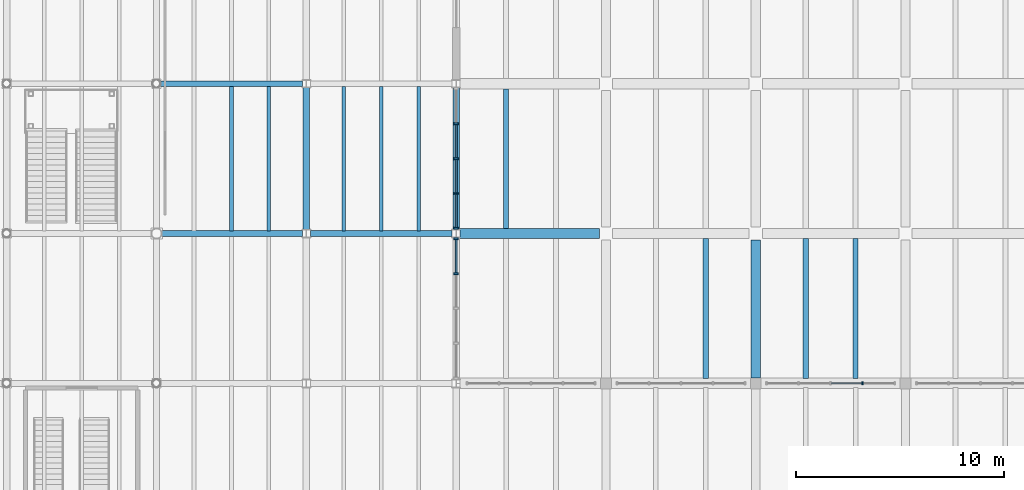
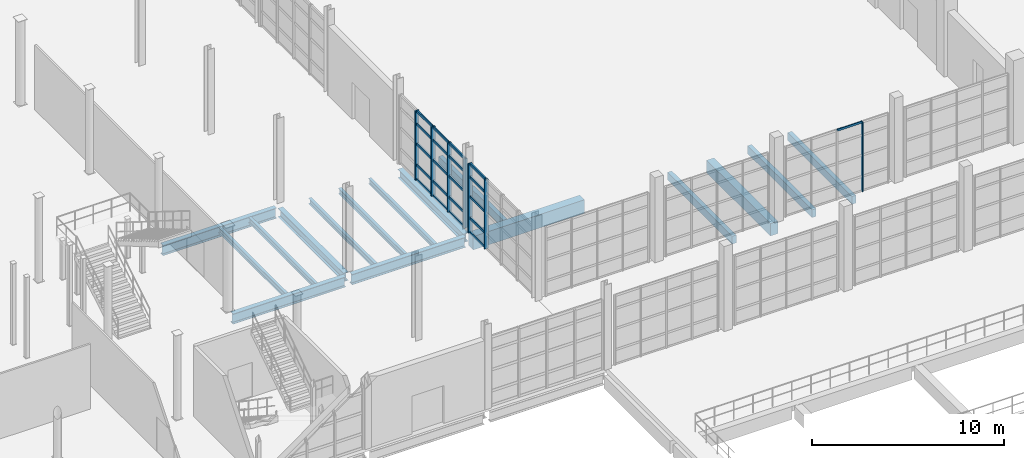
# One storey, part 30 of 79: 28 members, 16 beams, 3 elements without a shape of their own.
"""IFC4 building model written with IfcOpenShell, lengths in metres."""

from ifc_helpers import new_model, si_unit, direction, frame, origin, origin_2d, place, context, subcontext, project, spatial, rectangle, i_section, extrude, material, material_profile, profile_set, type_object, element, aggregate, save


model = new_model("IFC4")

# Units and contexts
model_context = context("Model", 3, precision=1e-05, world=origin(), true_north=direction((0.0, 1.0)))
body_context = subcontext(model_context, "Body", "Model", "MODEL_VIEW")
ifc_project = project(units=[si_unit("LENGTHUNIT", "METRE"), si_unit("AREAUNIT", "SQUARE_METRE"), si_unit("VOLUMEUNIT", "CUBIC_METRE"), si_unit("PLANEANGLEUNIT", "RADIAN"), si_unit("MASSUNIT", "GRAM", prefix="KILO")], contexts=[model_context])

# Site, building, storey
site_placement = place(None, origin())
site = spatial("IfcSite", under=ifc_project, at=site_placement, CompositionType="ELEMENT")
building_placement = place(site_placement, origin())
building = spatial("IfcBuilding", under=site, at=building_placement, Name="Qiaolan Assembly House", CompositionType="ELEMENT")
storey_placement = place(building_placement, origin())
storey = spatial("IfcBuildingStorey", under=building, at=storey_placement, Name="L00", CompositionType="ELEMENT", Elevation=0.0)

# Beams
ifc_material_1 = material(Name="Concrete C40/50", Category="concrete")
ifc_material_profile_1 = material_profile(ifc_material_1, rectangle(XDim=0.449951171875, YDim=0.800048828125, at=origin_2d()), Name="RCB 450x800")
ifc_profile_set_1 = profile_set([ifc_material_profile_1], Name="Concrete C40/50")
beam_type_1 = type_object("IfcBeamType", Name="BM-RC-450x800", PredefinedType="BEAM", material=ifc_profile_set_1)
beam_1_placement = place(storey_placement, frame((122.39990234375, 43.449951171875, -0.739990234375), z_axis=(0.0, 1.0, 0.0), x_axis=(-1.0, 0.0, 0.0)))
element("IfcBeam", 1, at=beam_1_placement, inside=storey, type_object=beam_type_1, Name="GB-03 beam BMY-CLCRT-L00-02-00", PredefinedType="BEAM", context=body_context, shape_type="SweptSolid", body=[
    extrude(rectangle(XDim=0.449951171875, YDim=0.800048828125, at=origin_2d()), origin(), (0.0, 0.0, 1.0), 6.635009765625),
])
ifc_material_2 = material(Name="Concrete C45/55", Category="concrete")
ifc_material_profile_2 = material_profile(ifc_material_2, rectangle(XDim=0.5, YDim=0.85009765625, at=origin_2d()), Name="RCB 500x850")
ifc_profile_set_2 = profile_set([ifc_material_profile_2], Name="Concrete C45/55")
beam_type_2 = type_object("IfcBeamType", Name="BM-RC-500x850", PredefinedType="BEAM", material=ifc_profile_set_2)
beam_2_placement = place(storey_placement, frame((108.18994140625, 50.39990234375, -0.764892578125), z_axis=(1.0, 0.0, 0.0), x_axis=(0.0, 1.0, 0.0)))
element("IfcBeam", 2, at=beam_2_placement, inside=storey, type_object=beam_type_2, Name="GB-02 beam BMX-CLCRT-L00-00-01", PredefinedType="BEAM", context=body_context, shape_type="SweptSolid", body=[
    extrude(rectangle(XDim=0.5, YDim=0.85009765625, at=origin_2d()), origin(), (0.0, 0.0, 1.0), 6.695068359375),
])
ifc_material_3 = material(Name="Steel Q355B", Category="steel")
ifc_material_profile_3 = material_profile(ifc_material_3, i_section(OverallWidth=0.300048828125, OverallDepth=0.5400390625, WebThickness=0.010986328125, FlangeThickness=0.01806640625, FilletRadius=0.02001953125, at=origin_2d()), Name="HM 540x300x11x18")
ifc_profile_set_3 = profile_set([ifc_material_profile_3], Name="Steel Q355B")
beam_type_3 = type_object("IfcBeamType", Name="BM-STL-HM540", PredefinedType="BEAM", material=ifc_profile_set_3)
for number, where, z_axis, x_axis, name in (
    (3, (100.800048828125, 50.590087890625, -0.570068359375), (0.0, 1.0, 0.0), (-1.0, 0.0, 0.0), "SB-12 beam BMY-HL-L00-11-02"),
    (4, (108.0, 50.590087890625, -0.610107421875), (0.0, 1.0, 0.0), (-1.0, 0.0, 0.0), "SB-12 beam BMY-HL-L00-12-02"),
):
    element("IfcBeam", number, at=place(storey_placement, frame(where, z_axis=z_axis, x_axis=x_axis)), inside=storey, type_object=beam_type_3, Name=name, PredefinedType="BEAM", context=body_context, shape_type="SweptSolid", body=[
        extrude(i_section(OverallWidth=0.300048828125, OverallDepth=0.5400390625, WebThickness=0.010986328125, FlangeThickness=0.01806640625, FilletRadius=0.02001953125, at=origin_2d()), origin(), (0.0, 0.0, 1.0), 6.81982421875),
    ])
ifc_material_profile_4 = material_profile(ifc_material_3, i_section(OverallWidth=0.280029296875, OverallDepth=0.64990234375, WebThickness=0.011962890625, FlangeThickness=0.02197265625, FilletRadius=0.02197265625, at=origin_2d()), Name="HN 650x280x12x22")
ifc_profile_set_4 = profile_set([ifc_material_profile_4], Name="Steel Q355B")
beam_type_4 = type_object("IfcBeamType", Name="BM-STL-HN650", PredefinedType="BEAM", material=ifc_profile_set_4)
beam_3_placement = place(storey_placement, frame((93.843994140625, 50.39990234375, -0.625), z_axis=(1.0, 0.0, 0.0), x_axis=(0.0, 1.0, 0.0)))
element("IfcBeam", 5, at=beam_3_placement, inside=storey, type_object=beam_type_4, Name="SB-10 beam BMX-HL-L00-10-02", PredefinedType="BEAM", context=body_context, shape_type="SweptSolid", body=[
    extrude(i_section(OverallWidth=0.280029296875, OverallDepth=0.64990234375, WebThickness=0.011962890625, FlangeThickness=0.02197265625, FilletRadius=0.02197265625, at=origin_2d()), origin(), (0.0, 0.0, 1.0), 6.76611328125),
])
beam_4_placement = place(storey_placement, frame((100.989990234375, 50.39990234375, -0.625), z_axis=(1.0, 0.0, 0.0), x_axis=(0.0, 1.0, 0.0)))
element("IfcBeam", 6, at=beam_4_placement, inside=storey, type_object=beam_type_4, Name="SB-10 beam BMX-HL-L00-11-02", PredefinedType="BEAM", context=body_context, shape_type="SweptSolid", body=[
    extrude(i_section(OverallWidth=0.280029296875, OverallDepth=0.64990234375, WebThickness=0.011962890625, FlangeThickness=0.02197265625, FilletRadius=0.02197265625, at=origin_2d()), origin(), (0.0, 0.0, 1.0), 6.820068359375),
])
beam_5_placement = place(storey_placement, frame((93.793212890625, 57.60009765625, -0.625), z_axis=(1.0, 0.0, 0.0), x_axis=(0.0, 1.0, 0.0)))
element("IfcBeam", 7, at=beam_5_placement, inside=storey, type_object=beam_type_4, Name="SB-10 beam BMX-HL-L00-10-03", PredefinedType="BEAM", context=body_context, shape_type="SweptSolid", body=[
    extrude(i_section(OverallWidth=0.280029296875, OverallDepth=0.64990234375, WebThickness=0.011962890625, FlangeThickness=0.02197265625, FilletRadius=0.02197265625, at=origin_2d()), origin(), (0.0, 0.0, 1.0), 6.81689453125),
])

# Curtain wall, members
ifc_material_4 = material(Name="Anodised bronze aluminium", Category="aluminium")
curtain_wall_type_1 = type_object("IfcCurtainWallType", Name="CW-CLOISTER-420", PredefinedType="NOTDEFINED", material=ifc_material_4)
curtain_wall_1_placement = place(storey_placement, origin())
curtain_wall_1 = element("IfcCurtainWall", 8, at=curtain_wall_1_placement, inside=storey, type_object=curtain_wall_type_1, Name="CW-05 South Cloister court arcade L00-3", PredefinedType="NOTDEFINED")
ifc_material_profile_5 = material_profile(ifc_material_4, rectangle(XDim=0.070068359375, YDim=0.155029296875, at=origin_2d()), Name="MUL 70x155")
ifc_profile_set_5 = profile_set([ifc_material_profile_5], Name="Anodised bronze aluminium")
member_type_1 = type_object("IfcMemberType", Name="CW-CLOISTER-420-MUL", PredefinedType="MULLION", material=ifc_profile_set_5)
member_1_placement = place(storey_placement, frame((127.5400390625, 43.199951171875, 0.0), z_axis=(0.0, 0.0, 1.0), x_axis=(-1.0, 0.0, 0.0)))
member_1 = element("IfcMember", 9, at=member_1_placement, type_object=member_type_1, Name="ML-06 mullion CW-CLS-CRT-L00-2-2", PredefinedType="MULLION", context=body_context, shape_type="SweptSolid", body=[
    extrude(rectangle(XDim=0.070068359375, YDim=0.155029296875, at=origin_2d()), origin(), (0.0, 0.0, 1.0), 4.419921875),
])
ifc_material_profile_6 = material_profile(ifc_material_4, rectangle(XDim=0.06201171875, YDim=0.125, at=origin_2d()), Name="TRN 62x125")
ifc_profile_set_6 = profile_set([ifc_material_profile_6], Name="Anodised bronze aluminium")
member_type_2 = type_object("IfcMemberType", Name="CW-CLOISTER-420-TRN", PredefinedType="USERDEFINED", material=ifc_profile_set_6)
member_2_placement = place(storey_placement, frame((127.5048828125, 43.199951171875, 4.389892578125), z_axis=(-1.0, 0.0, 0.0), x_axis=(0.0, -1.0, 0.0)))
member_2 = element("IfcMember", 10, at=member_2_placement, type_object=member_type_2, Name="TR-06 transom CW-CLS-CRT-L00-2-2-5", ObjectType="TRANSOM", PredefinedType="USERDEFINED", context=body_context, shape_type="SweptSolid", body=[
    extrude(rectangle(XDim=0.06201171875, YDim=0.125, at=origin_2d()), origin(), (0.0, 0.0, 1.0), 1.469970703125),
])
aggregate(curtain_wall_1, [member_1, member_2])

curtain_wall_type_2 = type_object("IfcCurtainWallType", Name="CW-HALL-MAIN-540", PredefinedType="NOTDEFINED", material=ifc_material_4)
curtain_wall_2_placement = place(storey_placement, origin())
curtain_wall_2 = element("IfcCurtainWall", 11, at=curtain_wall_2_placement, inside=storey, type_object=curtain_wall_type_2, Name="CW-01 Hall East court curtain wall L00-1", PredefinedType="NOTDEFINED")
ifc_material_profile_7 = material_profile(ifc_material_4, rectangle(XDim=0.092041015625, YDim=0.219970703125, at=origin_2d()), Name="MUL 92x220")
ifc_profile_set_7 = profile_set([ifc_material_profile_7], Name="Anodised bronze aluminium")
member_type_3 = type_object("IfcMemberType", Name="CW-HALL-MAIN-540-MUL", PredefinedType="MULLION", material=ifc_profile_set_7)
member_3_placement = place(storey_placement, frame((108.0, 50.14990234375, 0.0), z_axis=(0.0, 0.0, 1.0), x_axis=(0.0, -1.0, 0.0)))
member_3 = element("IfcMember", 12, at=member_3_placement, type_object=member_type_3, Name="ML-01 mullion CW-HALL-E-L00-00-1", PredefinedType="MULLION", context=body_context, shape_type="SweptSolid", body=[
    extrude(rectangle(XDim=0.092041015625, YDim=0.219970703125, at=origin_2d()), origin(), (0.0, 0.0, 1.0), 4.39990234375),
])
member_4_placement = place(storey_placement, frame((108.0, 48.47509765625, 0.0), z_axis=(0.0, 0.0, 1.0), x_axis=(0.0, -1.0, 0.0)))
member_4 = element("IfcMember", 13, at=member_4_placement, type_object=member_type_3, Name="ML-01 mullion CW-HALL-E-L00-00-2", PredefinedType="MULLION", context=body_context, shape_type="SweptSolid", body=[
    extrude(rectangle(XDim=0.092041015625, YDim=0.219970703125, at=origin_2d()), origin(), (0.0, 0.0, 1.0), 4.39990234375),
])

curtain_wall_3_placement = place(storey_placement, origin())
curtain_wall_3 = element("IfcCurtainWall", 14, at=curtain_wall_3_placement, inside=storey, type_object=curtain_wall_type_2, Name="CW-01 Hall East court curtain wall L00-2", PredefinedType="NOTDEFINED")
member_5_placement = place(storey_placement, frame((108.0, 55.675048828125, 0.0), z_axis=(0.0, 0.0, 1.0), x_axis=(0.0, -1.0, 0.0)))
member_5 = element("IfcMember", 15, at=member_5_placement, type_object=member_type_3, Name="ML-01 mullion CW-HALL-E-L00-01-2", PredefinedType="MULLION", context=body_context, shape_type="SweptSolid", body=[
    extrude(rectangle(XDim=0.092041015625, YDim=0.219970703125, at=origin_2d()), origin(), (0.0, 0.0, 1.0), 4.39990234375),
])
member_6_placement = place(storey_placement, frame((108.0, 54.0, 0.0), z_axis=(0.0, 0.0, 1.0), x_axis=(0.0, -1.0, 0.0)))
member_6 = element("IfcMember", 16, at=member_6_placement, type_object=member_type_3, Name="ML-01 mullion CW-HALL-E-L00-01-3", PredefinedType="MULLION", context=body_context, shape_type="SweptSolid", body=[
    extrude(rectangle(XDim=0.092041015625, YDim=0.219970703125, at=origin_2d()), origin(), (0.0, 0.0, 1.0), 4.39990234375),
])
member_7_placement = place(storey_placement, frame((108.0, 52.324951171875, 0.0), z_axis=(0.0, 0.0, 1.0), x_axis=(0.0, -1.0, 0.0)))
member_7 = element("IfcMember", 17, at=member_7_placement, type_object=member_type_3, Name="ML-01 mullion CW-HALL-E-L00-01-4", PredefinedType="MULLION", context=body_context, shape_type="SweptSolid", body=[
    extrude(rectangle(XDim=0.092041015625, YDim=0.219970703125, at=origin_2d()), origin(), (0.0, 0.0, 1.0), 4.39990234375),
])
member_8_placement = place(storey_placement, frame((108.0, 50.64990234375, 0.0), z_axis=(0.0, 0.0, 1.0), x_axis=(0.0, -1.0, 0.0)))
member_8 = element("IfcMember", 18, at=member_8_placement, type_object=member_type_3, Name="ML-01 mullion CW-HALL-E-L00-01-5", PredefinedType="MULLION", context=body_context, shape_type="SweptSolid", body=[
    extrude(rectangle(XDim=0.092041015625, YDim=0.219970703125, at=origin_2d()), origin(), (0.0, 0.0, 1.0), 4.39990234375),
])

# Member
ifc_material_profile_8 = material_profile(ifc_material_4, rectangle(XDim=0.08203125, YDim=0.159912109375, at=origin_2d()), Name="TRN 82x160")
ifc_profile_set_8 = profile_set([ifc_material_profile_8], Name="Anodised bronze aluminium")
member_type_4 = type_object("IfcMemberType", Name="CW-HALL-MAIN-540-TRN", PredefinedType="USERDEFINED", material=ifc_profile_set_8)
member_9_placement = place(storey_placement, frame((108.0, 50.10400390625, 0.030029296875), z_axis=(0.0, -1.0, 0.0), x_axis=(1.0, 0.0, 0.0)))
member_9 = element("IfcMember", 19, at=member_9_placement, type_object=member_type_4, Name="TR-01 transom CW-HALL-E-L00-00-1-1", ObjectType="TRANSOM", PredefinedType="USERDEFINED", context=body_context, shape_type="SweptSolid", body=[
    extrude(rectangle(XDim=0.08203125, YDim=0.159912109375, at=origin_2d()), origin(), (0.0, 0.0, 1.0), 1.5830078125),
])

member_10_placement = place(storey_placement, frame((108.0, 50.10400390625, 0.949951171875), z_axis=(0.0, -1.0, 0.0), x_axis=(1.0, 0.0, 0.0)))
member_10 = element("IfcMember", 20, at=member_10_placement, type_object=member_type_4, Name="TR-01 transom CW-HALL-E-L00-00-1-2", ObjectType="TRANSOM", PredefinedType="USERDEFINED", context=body_context, shape_type="SweptSolid", body=[
    extrude(rectangle(XDim=0.08203125, YDim=0.159912109375, at=origin_2d()), origin(), (0.0, 0.0, 1.0), 1.5830078125),
])

member_11_placement = place(storey_placement, frame((108.0, 50.10400390625, 2.2880859375), z_axis=(0.0, -1.0, 0.0), x_axis=(1.0, 0.0, 0.0)))
member_11 = element("IfcMember", 21, at=member_11_placement, type_object=member_type_4, Name="TR-01 transom CW-HALL-E-L00-00-1-3", ObjectType="TRANSOM", PredefinedType="USERDEFINED", context=body_context, shape_type="SweptSolid", body=[
    extrude(rectangle(XDim=0.08203125, YDim=0.159912109375, at=origin_2d()), origin(), (0.0, 0.0, 1.0), 1.5830078125),
])

member_12_placement = place(storey_placement, frame((108.0, 50.10400390625, 3.550048828125), z_axis=(0.0, -1.0, 0.0), x_axis=(1.0, 0.0, 0.0)))
member_12 = element("IfcMember", 22, at=member_12_placement, type_object=member_type_4, Name="TR-01 transom CW-HALL-E-L00-00-1-4", ObjectType="TRANSOM", PredefinedType="USERDEFINED", context=body_context, shape_type="SweptSolid", body=[
    extrude(rectangle(XDim=0.08203125, YDim=0.159912109375, at=origin_2d()), origin(), (0.0, 0.0, 1.0), 1.5830078125),
])

member_13_placement = place(storey_placement, frame((108.0, 50.10400390625, 4.3701171875), z_axis=(0.0, -1.0, 0.0), x_axis=(1.0, 0.0, 0.0)))
member_13 = element("IfcMember", 23, at=member_13_placement, type_object=member_type_4, Name="TR-01 transom CW-HALL-E-L00-00-1-5", ObjectType="TRANSOM", PredefinedType="USERDEFINED", context=body_context, shape_type="SweptSolid", body=[
    extrude(rectangle(XDim=0.08203125, YDim=0.159912109375, at=origin_2d()), origin(), (0.0, 0.0, 1.0), 1.5830078125),
])

aggregate(curtain_wall_2, [member_3, member_4, member_9, member_10, member_11, member_12, member_13])

member_14_placement = place(storey_placement, frame((108.0, 55.62890625, 0.030029296875), z_axis=(0.0, -1.0, 0.0), x_axis=(1.0, 0.0, 0.0)))
member_14 = element("IfcMember", 24, at=member_14_placement, type_object=member_type_4, Name="TR-01 transom CW-HALL-E-L00-01-2-1", ObjectType="TRANSOM", PredefinedType="USERDEFINED", context=body_context, shape_type="SweptSolid", body=[
    extrude(rectangle(XDim=0.08203125, YDim=0.159912109375, at=origin_2d()), origin(), (0.0, 0.0, 1.0), 1.5830078125),
])

member_15_placement = place(storey_placement, frame((108.0, 55.62890625, 0.949951171875), z_axis=(0.0, -1.0, 0.0), x_axis=(1.0, 0.0, 0.0)))
member_15 = element("IfcMember", 25, at=member_15_placement, type_object=member_type_4, Name="TR-01 transom CW-HALL-E-L00-01-2-2", ObjectType="TRANSOM", PredefinedType="USERDEFINED", context=body_context, shape_type="SweptSolid", body=[
    extrude(rectangle(XDim=0.08203125, YDim=0.159912109375, at=origin_2d()), origin(), (0.0, 0.0, 1.0), 1.5830078125),
])

member_16_placement = place(storey_placement, frame((108.0, 55.62890625, 2.2880859375), z_axis=(0.0, -1.0, 0.0), x_axis=(1.0, 0.0, 0.0)))
member_16 = element("IfcMember", 26, at=member_16_placement, type_object=member_type_4, Name="TR-01 transom CW-HALL-E-L00-01-2-3", ObjectType="TRANSOM", PredefinedType="USERDEFINED", context=body_context, shape_type="SweptSolid", body=[
    extrude(rectangle(XDim=0.08203125, YDim=0.159912109375, at=origin_2d()), origin(), (0.0, 0.0, 1.0), 1.5830078125),
])

member_17_placement = place(storey_placement, frame((108.0, 55.62890625, 3.550048828125), z_axis=(0.0, -1.0, 0.0), x_axis=(1.0, 0.0, 0.0)))
member_17 = element("IfcMember", 27, at=member_17_placement, type_object=member_type_4, Name="TR-01 transom CW-HALL-E-L00-01-2-4", ObjectType="TRANSOM", PredefinedType="USERDEFINED", context=body_context, shape_type="SweptSolid", body=[
    extrude(rectangle(XDim=0.08203125, YDim=0.159912109375, at=origin_2d()), origin(), (0.0, 0.0, 1.0), 1.5830078125),
])

member_18_placement = place(storey_placement, frame((108.0, 55.62890625, 4.3701171875), z_axis=(0.0, -1.0, 0.0), x_axis=(1.0, 0.0, 0.0)))
member_18 = element("IfcMember", 28, at=member_18_placement, type_object=member_type_4, Name="TR-01 transom CW-HALL-E-L00-01-2-5", ObjectType="TRANSOM", PredefinedType="USERDEFINED", context=body_context, shape_type="SweptSolid", body=[
    extrude(rectangle(XDim=0.08203125, YDim=0.159912109375, at=origin_2d()), origin(), (0.0, 0.0, 1.0), 1.5830078125),
])

member_19_placement = place(storey_placement, frame((108.0, 53.9541015625, 0.030029296875), z_axis=(0.0, -1.0, 0.0), x_axis=(1.0, 0.0, 0.0)))
member_19 = element("IfcMember", 29, at=member_19_placement, type_object=member_type_4, Name="TR-01 transom CW-HALL-E-L00-01-3-1", ObjectType="TRANSOM", PredefinedType="USERDEFINED", context=body_context, shape_type="SweptSolid", body=[
    extrude(rectangle(XDim=0.08203125, YDim=0.159912109375, at=origin_2d()), origin(), (0.0, 0.0, 1.0), 1.5830078125),
])

member_20_placement = place(storey_placement, frame((108.0, 53.9541015625, 0.949951171875), z_axis=(0.0, -1.0, 0.0), x_axis=(1.0, 0.0, 0.0)))
member_20 = element("IfcMember", 30, at=member_20_placement, type_object=member_type_4, Name="TR-01 transom CW-HALL-E-L00-01-3-2", ObjectType="TRANSOM", PredefinedType="USERDEFINED", context=body_context, shape_type="SweptSolid", body=[
    extrude(rectangle(XDim=0.08203125, YDim=0.159912109375, at=origin_2d()), origin(), (0.0, 0.0, 1.0), 1.5830078125),
])

member_21_placement = place(storey_placement, frame((108.0, 53.9541015625, 2.2880859375), z_axis=(0.0, -1.0, 0.0), x_axis=(1.0, 0.0, 0.0)))
member_21 = element("IfcMember", 31, at=member_21_placement, type_object=member_type_4, Name="TR-01 transom CW-HALL-E-L00-01-3-3", ObjectType="TRANSOM", PredefinedType="USERDEFINED", context=body_context, shape_type="SweptSolid", body=[
    extrude(rectangle(XDim=0.08203125, YDim=0.159912109375, at=origin_2d()), origin(), (0.0, 0.0, 1.0), 1.5830078125),
])

member_22_placement = place(storey_placement, frame((108.0, 53.9541015625, 3.550048828125), z_axis=(0.0, -1.0, 0.0), x_axis=(1.0, 0.0, 0.0)))
member_22 = element("IfcMember", 32, at=member_22_placement, type_object=member_type_4, Name="TR-01 transom CW-HALL-E-L00-01-3-4", ObjectType="TRANSOM", PredefinedType="USERDEFINED", context=body_context, shape_type="SweptSolid", body=[
    extrude(rectangle(XDim=0.08203125, YDim=0.159912109375, at=origin_2d()), origin(), (0.0, 0.0, 1.0), 1.5830078125),
])

member_23_placement = place(storey_placement, frame((108.0, 53.9541015625, 4.3701171875), z_axis=(0.0, -1.0, 0.0), x_axis=(1.0, 0.0, 0.0)))
member_23 = element("IfcMember", 33, at=member_23_placement, type_object=member_type_4, Name="TR-01 transom CW-HALL-E-L00-01-3-5", ObjectType="TRANSOM", PredefinedType="USERDEFINED", context=body_context, shape_type="SweptSolid", body=[
    extrude(rectangle(XDim=0.08203125, YDim=0.159912109375, at=origin_2d()), origin(), (0.0, 0.0, 1.0), 1.5830078125),
])

member_24_placement = place(storey_placement, frame((108.0, 52.279052734375, 0.030029296875), z_axis=(0.0, -1.0, 0.0), x_axis=(1.0, 0.0, 0.0)))
member_24 = element("IfcMember", 34, at=member_24_placement, type_object=member_type_4, Name="TR-01 transom CW-HALL-E-L00-01-4-1", ObjectType="TRANSOM", PredefinedType="USERDEFINED", context=body_context, shape_type="SweptSolid", body=[
    extrude(rectangle(XDim=0.08203125, YDim=0.159912109375, at=origin_2d()), origin(), (0.0, 0.0, 1.0), 1.5830078125),
])

member_25_placement = place(storey_placement, frame((108.0, 52.279052734375, 0.949951171875), z_axis=(0.0, -1.0, 0.0), x_axis=(1.0, 0.0, 0.0)))
member_25 = element("IfcMember", 35, at=member_25_placement, type_object=member_type_4, Name="TR-01 transom CW-HALL-E-L00-01-4-2", ObjectType="TRANSOM", PredefinedType="USERDEFINED", context=body_context, shape_type="SweptSolid", body=[
    extrude(rectangle(XDim=0.08203125, YDim=0.159912109375, at=origin_2d()), origin(), (0.0, 0.0, 1.0), 1.5830078125),
])

member_26_placement = place(storey_placement, frame((108.0, 52.279052734375, 2.2880859375), z_axis=(0.0, -1.0, 0.0), x_axis=(1.0, 0.0, 0.0)))
member_26 = element("IfcMember", 36, at=member_26_placement, type_object=member_type_4, Name="TR-01 transom CW-HALL-E-L00-01-4-3", ObjectType="TRANSOM", PredefinedType="USERDEFINED", context=body_context, shape_type="SweptSolid", body=[
    extrude(rectangle(XDim=0.08203125, YDim=0.159912109375, at=origin_2d()), origin(), (0.0, 0.0, 1.0), 1.5830078125),
])

member_27_placement = place(storey_placement, frame((108.0, 52.279052734375, 3.550048828125), z_axis=(0.0, -1.0, 0.0), x_axis=(1.0, 0.0, 0.0)))
member_27 = element("IfcMember", 37, at=member_27_placement, type_object=member_type_4, Name="TR-01 transom CW-HALL-E-L00-01-4-4", ObjectType="TRANSOM", PredefinedType="USERDEFINED", context=body_context, shape_type="SweptSolid", body=[
    extrude(rectangle(XDim=0.08203125, YDim=0.159912109375, at=origin_2d()), origin(), (0.0, 0.0, 1.0), 1.5830078125),
])

member_28_placement = place(storey_placement, frame((108.0, 52.279052734375, 4.3701171875), z_axis=(0.0, -1.0, 0.0), x_axis=(1.0, 0.0, 0.0)))
member_28 = element("IfcMember", 38, at=member_28_placement, type_object=member_type_4, Name="TR-01 transom CW-HALL-E-L00-01-4-5", ObjectType="TRANSOM", PredefinedType="USERDEFINED", context=body_context, shape_type="SweptSolid", body=[
    extrude(rectangle(XDim=0.08203125, YDim=0.159912109375, at=origin_2d()), origin(), (0.0, 0.0, 1.0), 1.5830078125),
])

aggregate(curtain_wall_3, [member_5, member_6, member_7, member_8, member_14, member_15, member_16, member_17, member_18, member_19, member_20, member_21, member_22, member_23, member_24, member_25, member_26, member_27, member_28])

# Beams
ifc_material_profile_9 = material_profile(ifc_material_1, rectangle(XDim=0.25, YDim=0.5, at=origin_2d()), Name="RCB 250x500")
ifc_profile_set_9 = profile_set([ifc_material_profile_9], Name="Concrete C40/50")
beam_type_5 = type_object("IfcBeamType", Name="JST-RC-250x500", PredefinedType="JOIST", material=ifc_profile_set_9)
for number, where, z_axis, x_axis, name in (
    (39, (110.39990234375, 50.64404296875, -0.590087890625), (0.0, 1.0, 0.0), (-1.0, 0.0, 0.0), "RJ-01 beam JST-CLCRT-L00-00-01-1"),
    (40, (120.0, 43.444091796875, -0.590087890625), (0.0, 1.0, 0.0), (-1.0, 0.0, 0.0), "RJ-01 beam JST-CLCRT-L00-01-00-2"),
    (41, (124.800048828125, 43.444091796875, -0.590087890625), (0.0, 1.0, 0.0), (-1.0, 0.0, 0.0), "RJ-01 beam JST-CLCRT-L00-02-00-1"),
    (42, (127.199951171875, 43.444091796875, -0.590087890625), (0.0, 1.0, 0.0), (-1.0, 0.0, 0.0), "RJ-01 beam JST-CLCRT-L00-02-00-2"),
):
    element("IfcBeam", number, at=place(storey_placement, frame(where, z_axis=z_axis, x_axis=x_axis)), inside=storey, type_object=beam_type_5, Name=name, PredefinedType="JOIST", context=body_context, shape_type="SweptSolid", body=[
        extrude(rectangle(XDim=0.25, YDim=0.5, at=origin_2d()), origin(), (0.0, 0.0, 1.0), 6.7119140625),
    ])
ifc_material_profile_10 = material_profile(ifc_material_3, i_section(OverallWidth=0.175048828125, OverallDepth=0.35009765625, WebThickness=0.007080078125, FlangeThickness=0.010986328125, FilletRadius=0.013916015625, at=origin_2d()), Name="HN 350x175x7x11")
ifc_profile_set_10 = profile_set([ifc_material_profile_10], Name="Steel Q355B")
beam_type_6 = type_object("IfcBeamType", Name="JST-STL-HN350", PredefinedType="JOIST", material=ifc_profile_set_10)
for number, where, z_axis, x_axis, name in (
    (43, (97.199951171875, 50.533935546875, -0.47509765625), (0.0, 1.0, 0.0), (-1.0, 0.0, 0.0), "SJ-01 beam JST-HL-L00-10-02-2"),
    (44, (99.0, 50.533935546875, -0.47509765625), (0.0, 1.0, 0.0), (-1.0, 0.0, 0.0), "SJ-01 beam JST-HL-L00-10-02-3"),
    (45, (102.60009765625, 50.533935546875, -0.514892578125), (0.0, 1.0, 0.0), (-1.0, 0.0, 0.0), "SJ-01 beam JST-HL-L00-11-02-1"),
    (46, (104.39990234375, 50.533935546875, -0.514892578125), (0.0, 1.0, 0.0), (-1.0, 0.0, 0.0), "SJ-01 beam JST-HL-L00-11-02-2"),
    (47, (106.199951171875, 50.533935546875, -0.514892578125), (0.0, 1.0, 0.0), (-1.0, 0.0, 0.0), "SJ-01 beam JST-HL-L00-11-02-3"),
):
    element("IfcBeam", number, at=place(storey_placement, frame(where, z_axis=z_axis, x_axis=x_axis)), inside=storey, type_object=beam_type_6, Name=name, PredefinedType="JOIST", context=body_context, shape_type="SweptSolid", body=[
        extrude(i_section(OverallWidth=0.175048828125, OverallDepth=0.35009765625, WebThickness=0.007080078125, FlangeThickness=0.010986328125, FilletRadius=0.013916015625, at=origin_2d()), origin(), (0.0, 0.0, 1.0), 6.93212890625),
    ])

save(model, "model.ifc")
